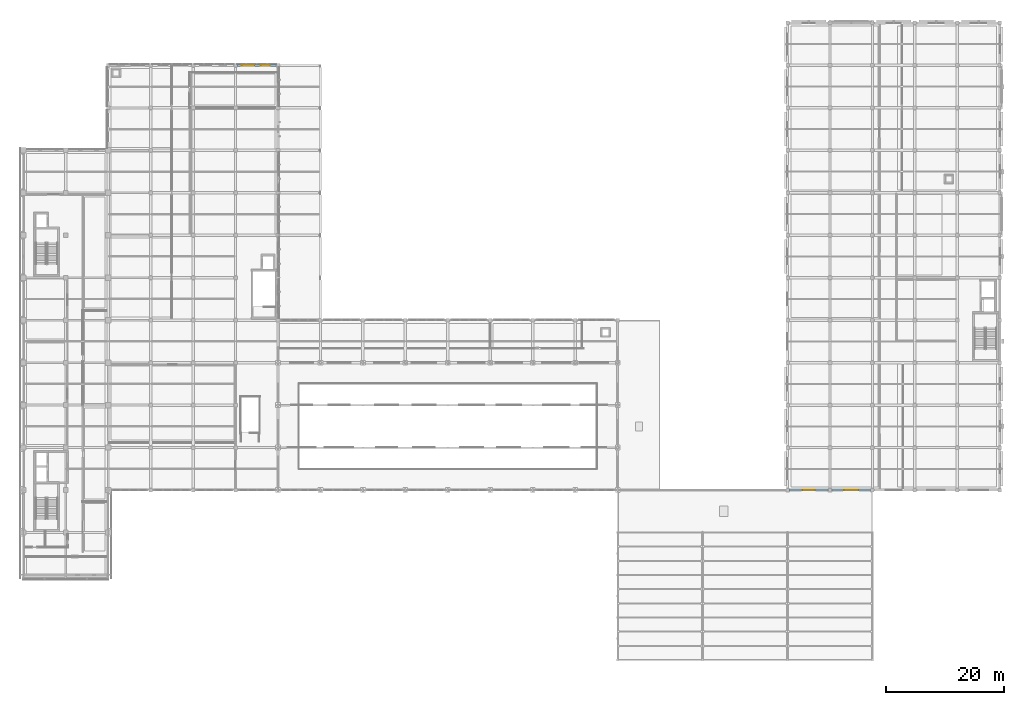
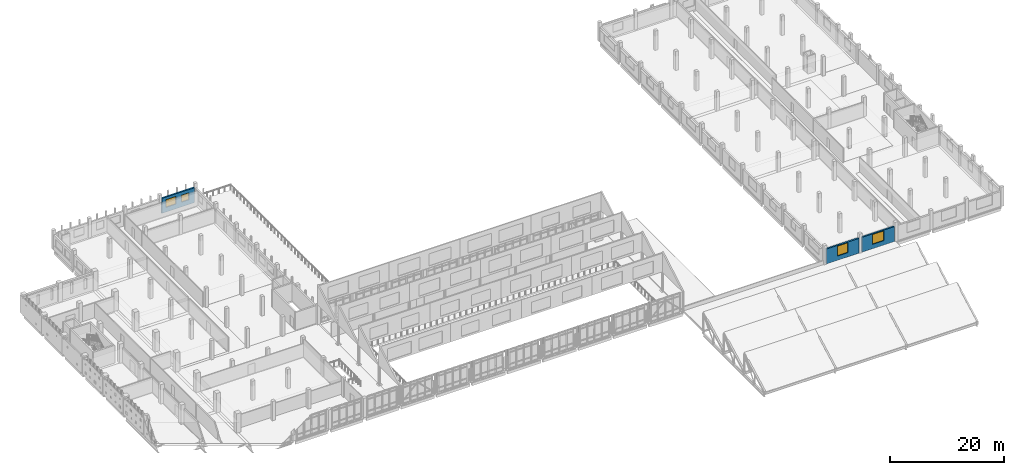
# One storey, part 46 of 62: 4 windows, 3 walls, 4 openings.
"""IFC4 building model written with IfcOpenShell, lengths in metres."""

from ifc_helpers import new_model, si_unit, direction, frame, frame_2d, origin, place, context, subcontext, project, spatial, rectangle, extrude, material, layer, layer_set, type_object, element, fill, save


model = new_model("IFC4")

# Units and contexts
model_context = context("Model", 3, precision=1e-05, world=origin(), true_north=direction((0.0, 1.0)))
body_context = subcontext(model_context, "Body", "Model", "MODEL_VIEW")
ifc_project = project(units=[si_unit("LENGTHUNIT", "METRE"), si_unit("AREAUNIT", "SQUARE_METRE"), si_unit("VOLUMEUNIT", "CUBIC_METRE"), si_unit("PLANEANGLEUNIT", "RADIAN"), si_unit("MASSUNIT", "GRAM", prefix="KILO")], contexts=[model_context])

# Site, building, storey
site_placement = place(None, origin())
site = spatial("IfcSite", under=ifc_project, at=site_placement, CompositionType="ELEMENT")
building_placement = place(site_placement, origin())
building = spatial("IfcBuilding", under=site, at=building_placement, Name="Valkovuoma Quantum and Materials Research Institute", CompositionType="ELEMENT")
storey_placement = place(building_placement, frame((0.0, 0.0, 13.1201171875)))
storey = spatial("IfcBuildingStorey", under=building, at=storey_placement, Name="L03", CompositionType="ELEMENT", Elevation=13.1201171875)

# Wall, opening, window
ifc_material_1 = material(Name="Precast concrete C40/50", Category="concrete")
ifc_layer_1 = layer(ifc_material_1, 0.320068359375)
ifc_layer_set_1 = layer_set([ifc_layer_1], Name="Precast concrete C40/50")
wall_type_1 = type_object("IfcWallType", Name="Wall-W-EXT320", PredefinedType="SOLIDWALL", material=ifc_layer_set_1)
wall_1_placement = place(storey_placement, frame((129.889892578125, 36.0, 0.0), z_axis=(0.0, 0.0, 1.0), x_axis=(1.0, 0.0, 0.0)))
wall_1 = element("IfcWall", 1, at=wall_1_placement, inside=storey, type_object=wall_type_1, Name="L03 exterior wall 0296", PredefinedType="SOLIDWALL", context=body_context, shape_type="SweptSolid", body=[
    extrude(rectangle(XDim=6.6201171875, YDim=0.320068359375, at=frame_2d((3.31005859375, 0.0))), origin(), (0.0, 0.0, 1.0), 3.2099609375),
])
opening_1_placement = place(wall_1_placement, frame((2.260009765625, 0.0, 0.949951171875)))
opening_1 = element("IfcOpeningElement", 2, at=opening_1_placement, cuts=wall_1, Name="Opening WN-WL02", PredefinedType="OPENING", context=body_context, shape_type="SweptSolid", body=[
    extrude(rectangle(XDim=2.10009765625, YDim=2.10009765625, at=frame_2d((1.050048828125, 1.050048828125))), frame((0.0, 0.169921875, 0.0), z_axis=(0.0, -1.0, 0.0), x_axis=(1.0, 0.0, 0.0)), (0.0, 0.0, 1.0), 0.340087890625),
])
ifc_material_2 = material(Name="Triple low-E argon glazing in thermally broken aluminium frame", Category="aluminium")
window_type_1 = type_object("IfcWindowType", Name="Win-WN-WL02", PartitioningType="SINGLE_PANEL", PredefinedType="WINDOW", material=ifc_material_2)
window_1_placement = place(opening_1_placement, origin())
window_1 = element("IfcWindow", 3, at=window_1_placement, inside=storey, type_object=window_type_1, Name="L03 window 0307", OverallHeight=2.10009765625, OverallWidth=2.10009765625, PartitioningType="SINGLE_PANEL", PredefinedType="WINDOW", context=body_context, shape_type="SweptSolid", body=[
    extrude(rectangle(XDim=2.10009765625, YDim=2.10009765625, at=frame_2d((1.050048828125, 1.050048828125))), frame((0.0, 0.030029296875, 0.0), z_axis=(0.0, -1.0, 0.0), x_axis=(1.0, 0.0, 0.0)), (0.0, 0.0, 1.0), 0.06005859375),
])
fill(opening_1, window_1)

wall_2_placement = place(storey_placement, frame((137.090087890625, 36.0, 0.0), z_axis=(0.0, 0.0, 1.0), x_axis=(1.0, 0.0, 0.0)))
wall_2 = element("IfcWall", 4, at=wall_2_placement, inside=storey, type_object=wall_type_1, Name="L03 exterior wall 0297", PredefinedType="SOLIDWALL", context=body_context, shape_type="SweptSolid", body=[
    extrude(rectangle(XDim=6.619873046875, YDim=0.320068359375, at=frame_2d((3.31005859375, 0.0))), origin(), (0.0, 0.0, 1.0), 3.2099609375),
])
opening_2_placement = place(wall_2_placement, frame((2.110107421875, 0.0, 0.949951171875)))
opening_2 = element("IfcOpeningElement", 5, at=opening_2_placement, cuts=wall_2, Name="Opening WN-WL03", PredefinedType="OPENING", context=body_context, shape_type="SweptSolid", body=[
    extrude(rectangle(XDim=2.39990234375, YDim=2.10009765625, at=frame_2d((1.199951171875, 1.050048828125))), frame((0.0, 0.169921875, 0.0), z_axis=(0.0, -1.0, 0.0), x_axis=(1.0, 0.0, 0.0)), (0.0, 0.0, 1.0), 0.340087890625),
])
ifc_material_3 = material(Name="Triple low-E argon glazing in thermally broken aluminium frame", Category="aluminium")
window_type_2 = type_object("IfcWindowType", Name="Win-WN-WL03", PartitioningType="SINGLE_PANEL", PredefinedType="WINDOW", material=ifc_material_3)
window_2_placement = place(opening_2_placement, origin())
window_2 = element("IfcWindow", 6, at=window_2_placement, inside=storey, type_object=window_type_2, Name="L03 window 0308", OverallHeight=2.10009765625, OverallWidth=2.39990234375, PartitioningType="SINGLE_PANEL", PredefinedType="WINDOW", context=body_context, shape_type="SweptSolid", body=[
    extrude(rectangle(XDim=2.39990234375, YDim=2.10009765625, at=frame_2d((1.199951171875, 1.050048828125))), frame((0.0, 0.030029296875, 0.0), z_axis=(0.0, -1.0, 0.0), x_axis=(1.0, 0.0, 0.0)), (0.0, 0.0, 1.0), 0.06005859375),
])
fill(opening_2, window_2)

# Wall, openings, windows
ifc_material_4 = material(Name="Precast concrete C40/50", Category="concrete")
ifc_layer_2 = layer(ifc_material_4, 0.340087890625)
ifc_layer_set_2 = layer_set([ifc_layer_2], Name="Precast concrete C40/50")
wall_type_2 = type_object("IfcWallType", Name="Wall-W-EXT340", PredefinedType="SOLIDWALL", material=ifc_layer_set_2)
wall_3_placement = place(storey_placement, frame((36.2900390625, 108.0, 0.0), z_axis=(0.0, 0.0, 1.0), x_axis=(1.0, 0.0, 0.0)))
wall_3 = element("IfcWall", 7, at=wall_3_placement, inside=storey, type_object=wall_type_2, Name="L03 exterior wall 0157", PredefinedType="SOLIDWALL", context=body_context, shape_type="SweptSolid", body=[
    extrude(rectangle(XDim=6.619873046875, YDim=0.340087890625, at=frame_2d((3.31005859375, 0.0))), origin(), (0.0, 0.0, 1.0), 3.2099609375),
])
opening_3_placement = place(wall_3_placement, frame((0.8037109375, 0.0, 1.0)))
opening_3 = element("IfcOpeningElement", 8, at=opening_3_placement, cuts=wall_3, Name="Opening WN-CL09", PredefinedType="OPENING", context=body_context, shape_type="SweptSolid", body=[
    extrude(rectangle(XDim=2.10009765625, YDim=1.64990234375, at=frame_2d((1.050048828125, 0.824951171875))), frame((0.0, 0.18017578125, 0.0), z_axis=(0.0, -1.0, 0.0), x_axis=(1.0, 0.0, 0.0)), (0.0, 0.0, 1.0), 0.360107421875),
])
opening_4_placement = place(wall_3_placement, frame((4.016357421875, 0.0, 1.0)))
opening_4 = element("IfcOpeningElement", 9, at=opening_4_placement, cuts=wall_3, Name="Opening WN-CL02", PredefinedType="OPENING", context=body_context, shape_type="SweptSolid", body=[
    extrude(rectangle(XDim=1.5, YDim=1.5, at=frame_2d((0.75, 0.75))), frame((0.0, 0.18017578125, 0.0), z_axis=(0.0, -1.0, 0.0), x_axis=(1.0, 0.0, 0.0)), (0.0, 0.0, 1.0), 0.360107421875),
])
ifc_material_5 = material(Name="Triple low-E argon glazing in thermally broken aluminium frame", Category="aluminium")
window_type_3 = type_object("IfcWindowType", Name="Win-WN-CL02", PartitioningType="SINGLE_PANEL", PredefinedType="WINDOW", material=ifc_material_5)
window_3_placement = place(opening_4_placement, origin())
window_3 = element("IfcWindow", 10, at=window_3_placement, inside=storey, type_object=window_type_3, Name="L03 window 0185", OverallHeight=1.5, OverallWidth=1.5, PartitioningType="SINGLE_PANEL", PredefinedType="WINDOW", context=body_context, shape_type="SweptSolid", body=[
    extrude(rectangle(XDim=1.5, YDim=1.5, at=frame_2d((0.75, 0.75))), frame((0.0, 0.030029296875, 0.0), z_axis=(0.0, -1.0, 0.0), x_axis=(1.0, 0.0, 0.0)), (0.0, 0.0, 1.0), 0.06005859375),
])
fill(opening_4, window_3)
ifc_material_6 = material(Name="Triple low-E argon glazing in thermally broken aluminium frame", Category="aluminium")
window_type_4 = type_object("IfcWindowType", Name="Win-WN-CL09", PartitioningType="SINGLE_PANEL", PredefinedType="WINDOW", material=ifc_material_6)
window_4_placement = place(opening_3_placement, origin())
window_4 = element("IfcWindow", 11, at=window_4_placement, inside=storey, type_object=window_type_4, Name="L03 window 0184", OverallHeight=1.64990234375, OverallWidth=2.10009765625, PartitioningType="SINGLE_PANEL", PredefinedType="WINDOW", context=body_context, shape_type="SweptSolid", body=[
    extrude(rectangle(XDim=2.10009765625, YDim=1.64990234375, at=frame_2d((1.050048828125, 0.824951171875))), frame((0.0, 0.030029296875, 0.0), z_axis=(0.0, -1.0, 0.0), x_axis=(1.0, 0.0, 0.0)), (0.0, 0.0, 1.0), 0.06005859375),
])
fill(opening_3, window_4)

save(model, "model.ifc")
